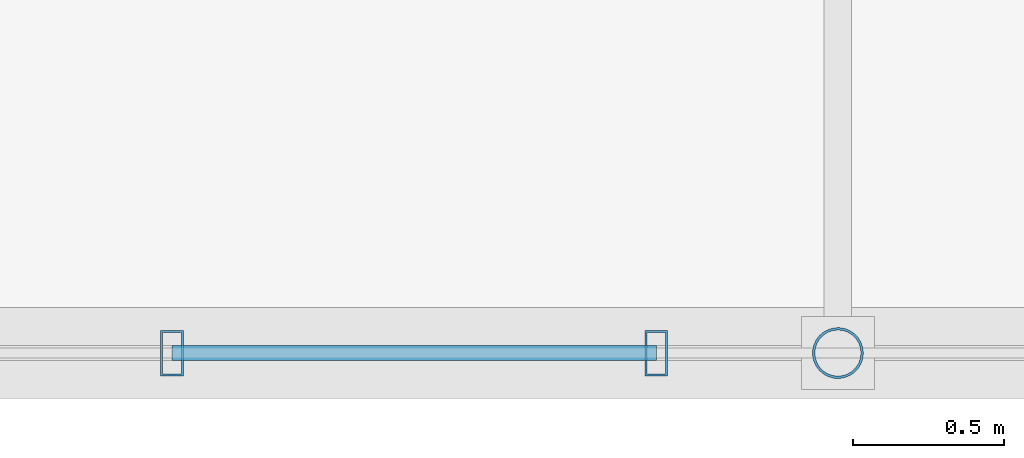
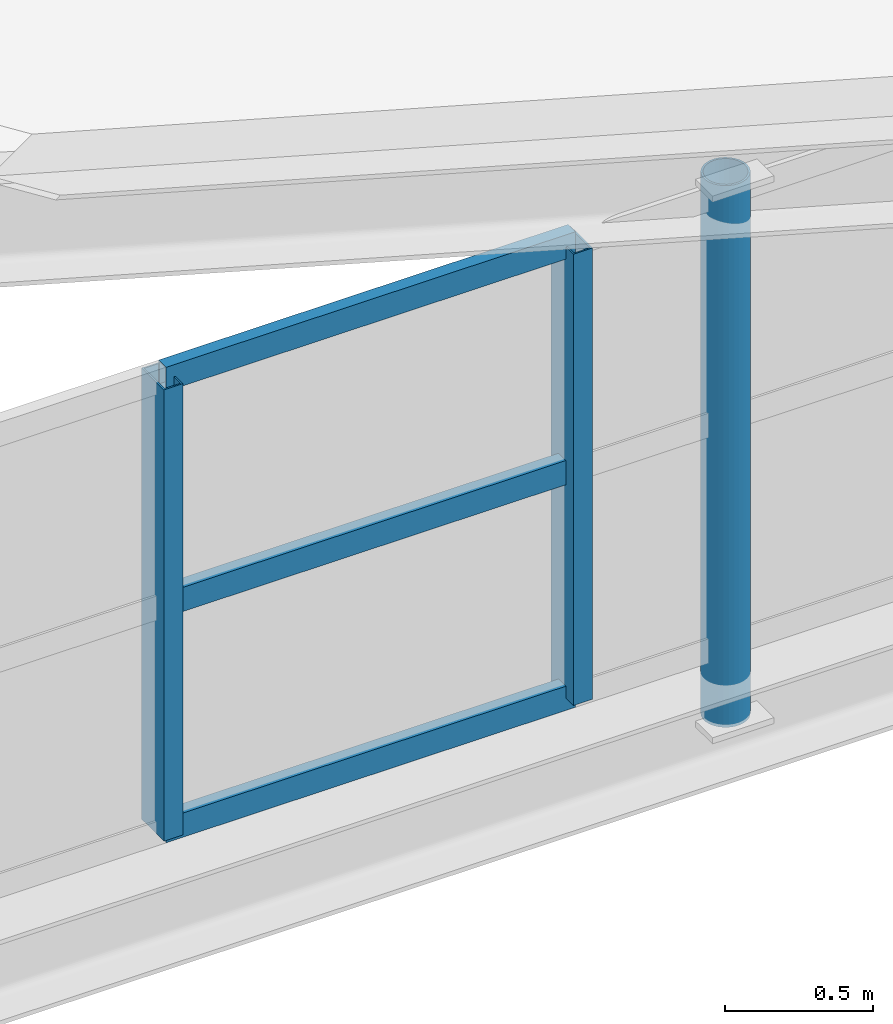
# One storey, part 11 of 49: 6 members, 1 element without a shape of its own.
"""IFC4 building model written with IfcOpenShell, lengths in metres."""

import ifcopenshell
import ifcopenshell.guid

model = None  # the IFC model being written
_history = None  # IfcOwnerHistory: only IFC2X3 demands one
_inside = {}  # id of a spatial element -> (the spatial element, [elements in it])
_under = {}  # id of a project, library or spatial element -> (it, [spatial elements below it])
_declared = {}  # id of a project -> (the project, [libraries it declares])
_typed = {}  # id of a type object -> (the type object, [elements of that type])
_made_of = {}  # id of a material, layer set ... -> (it, [elements and type objects made of it])


def new_model(schema):
    """Start an empty IFC model of exactly this schema.

    Asked for "IFC4X3", IfcOpenShell would pick the latest addendum, in which some entities
    have other attributes; the version numbers below select the first issue.
    IFC2X3 requires an IfcOwnerHistory on every rooted entity: one is made here for all.
    """
    global model, _history
    if schema == "IFC4X3":
        model = ifcopenshell.file(schema_version=(4, 3, 0, 0))
    else:
        model = ifcopenshell.file(schema=schema)
    _inside.clear()
    _under.clear()
    _declared.clear()
    _typed.clear()
    _made_of.clear()
    _history = None
    if model.schema == "IFC2X3":
        org = make("IfcOrganization", Name="unknown")
        user = make(
            "IfcPersonAndOrganization",
            ThePerson=make("IfcPerson", FamilyName="unknown"),
            TheOrganization=org,
        )
        app = make(
            "IfcApplication",
            ApplicationDeveloper=org,
            Version="unknown",
            ApplicationFullName="unknown",
            ApplicationIdentifier="unknown",
        )
        _history = make(
            "IfcOwnerHistory",
            OwningUser=user,
            OwningApplication=app,
            ChangeAction="ADDED",
            CreationDate=0,
        )
    return model


def make(cls, **values):
    """One entity of the class cls with the attributes given. An attribute that is None is left unset."""
    return model.create_entity(
        cls, **{name: value for name, value in values.items() if value is not None}
    )


def rooted(cls, **values):
    """An entity with a GlobalId (a new one), such as an element, a storey or a relation."""
    return make(cls, GlobalId=ifcopenshell.guid.new(), OwnerHistory=_history, **values)


def si_unit(unit_type, name, prefix=None):
    """IfcSIUnit, for example si_unit("LENGTHUNIT", "METRE", prefix="MILLI")."""
    return make("IfcSIUnit", UnitType=unit_type, Prefix=prefix, Name=name)


def assignment(units):
    """IfcUnitAssignment: the units of a project."""
    return None if units is None else make("IfcUnitAssignment", Units=units)


def point(xyz):
    """IfcCartesianPoint."""
    return None if xyz is None else make("IfcCartesianPoint", Coordinates=xyz)


def direction(xyz):
    """IfcDirection."""
    return None if xyz is None else make("IfcDirection", DirectionRatios=xyz)


def frame(location, z_axis=None, x_axis=None):
    """IfcAxis2Placement3D, a coordinate frame: its origin and axes. An axis left out is left unset."""
    return make(
        "IfcAxis2Placement3D",
        Location=point(location),
        Axis=direction(z_axis),
        RefDirection=direction(x_axis),
    )


def frame_2d(location, x_axis=None):
    """IfcAxis2Placement2D, a coordinate frame in the plane: its origin and x axis."""
    return make(
        "IfcAxis2Placement2D", Location=point(location), RefDirection=direction(x_axis)
    )


def origin():
    """The frame at (0, 0, 0) with its axes left unset."""
    return frame((0.0, 0.0, 0.0))


def origin_2d():
    """The frame at (0, 0) in the plane with its x axis left unset."""
    return frame_2d((0.0, 0.0))


def place(relative_to, where):
    """IfcLocalPlacement: puts the frame where relative to a parent placement (None: the world)."""
    return make(
        "IfcLocalPlacement", PlacementRelTo=relative_to, RelativePlacement=where
    )


def context(
    kind, dimensions, precision=None, world=None, true_north=None, identifier=None
):
    """IfcGeometricRepresentationContext, for example the 3D "Model" context."""
    return make(
        "IfcGeometricRepresentationContext",
        ContextIdentifier=identifier,
        ContextType=kind,
        CoordinateSpaceDimension=dimensions,
        Precision=precision,
        WorldCoordinateSystem=world,
        TrueNorth=true_north,
    )


def subcontext(parent, identifier, kind, view, scale=None):
    """IfcGeometricRepresentationSubContext, for example "Body" below "Model"."""
    return make(
        "IfcGeometricRepresentationSubContext",
        ContextIdentifier=identifier,
        ContextType=kind,
        ParentContext=parent,
        TargetScale=scale,
        TargetView=view,
    )


def project(units=None, contexts=None):
    """IfcProject with its units and contexts."""
    return rooted(
        "IfcProject",
        Name="project",
        RepresentationContexts=contexts,
        UnitsInContext=assignment(units),
    )


def spatial(cls, under=None, at=None, **own):
    """A site, building, storey or space (cls), placed at a placement, below another one or the project."""
    s = rooted(cls, ObjectPlacement=at, **own)
    if under is not None:
        _under.setdefault(under.id(), (under, []))[1].append(s)
    return s


def profile(cls, at=None, kind="AREA", **sizes):
    """A parametric profile (cls). Its sizes go by their IFC names, for example OverallWidth=200.0."""
    return make(cls, ProfileType=kind, Position=at, **sizes)


def hollow_rectangle(**sizes):
    """IfcRectangleHollowProfileDef."""
    return profile("IfcRectangleHollowProfileDef", **sizes)


def hollow_circle(**sizes):
    """IfcCircleHollowProfileDef."""
    return profile("IfcCircleHollowProfileDef", **sizes)


def extrude(swept, where, along, depth):
    """IfcExtrudedAreaSolid: the profile swept, set in the frame where, extruded along a direction by depth."""
    return make(
        "IfcExtrudedAreaSolid",
        SweptArea=swept,
        Position=where,
        ExtrudedDirection=direction(along),
        Depth=depth,
    )


def shape(context_of_items, identifier, shape_type, items):
    """IfcShapeRepresentation: the items that make up one representation, for example the "Body"."""
    return make(
        "IfcShapeRepresentation",
        ContextOfItems=context_of_items,
        RepresentationIdentifier=identifier,
        RepresentationType=shape_type,
        Items=items,
    )


def material(Name=None, Category=None):
    """IfcMaterial."""
    return make("IfcMaterial", Name=Name, Category=Category)


def material_profile(
    of_material, cross_section, Name=None, Category=None, Priority=None
):
    """IfcMaterialProfile: a cross section and its material."""
    return make(
        "IfcMaterialProfile",
        Name=Name,
        Material=of_material,
        Profile=cross_section,
        Priority=Priority,
        Category=Category,
    )


def profile_set(profiles, Name=None, composite=None):
    """IfcMaterialProfileSet."""
    return make(
        "IfcMaterialProfileSet",
        Name=Name,
        MaterialProfiles=profiles,
        CompositeProfile=composite,
    )


def made_of(thing, what):
    """Note that an element or type object is made of a material, layer set ...; save() writes the relation."""
    if what is not None:
        _made_of.setdefault(what.id(), (what, []))[1].append(thing)
    return thing


def type_object(cls, material=None, **own):
    """A type object (cls), such as IfcWallType, which elements share."""
    return made_of(rooted(cls, **own), material)


def element(
    cls,
    number,
    at=None,
    inside=None,
    cuts=None,
    type_object=None,
    material=None,
    context=None,
    identifier="Body",
    shape_type=None,
    held_by="IfcProductDefinitionShape",
    body=None,
    shapes=None,
    **own,
):
    """One element of the class cls, such as IfcWall. Its Tag is "e" and its number.

    at: its placement. inside: the storey or other place that contains it. cuts: it is an
    opening in that element (IfcRelVoidsElement). A single representation is given by context,
    identifier, shape_type and body (its items); several are given by shapes. held_by: the class
    of the entity that holds the representations. save() writes the other relations.
    """
    e = rooted(cls, Tag="e%d" % number, ObjectPlacement=at, **own)
    if body is not None:
        shapes = [shape(context, identifier, shape_type, body)]
    if shapes is not None:
        e.Representation = make(held_by, Representations=shapes)
    if inside is not None:
        _inside.setdefault(inside.id(), (inside, []))[1].append(e)
    if cuts is not None:
        rooted(
            "IfcRelVoidsElement", RelatingBuildingElement=cuts, RelatedOpeningElement=e
        )
    if type_object is not None:
        _typed.setdefault(type_object.id(), (type_object, []))[1].append(e)
    return made_of(e, material)


def aggregate(whole, parts):
    """IfcRelAggregates: a whole, such as a stair, and the parts it consists of."""
    return rooted("IfcRelAggregates", RelatingObject=whole, RelatedObjects=parts)


def save(model, path):
    """Write the relations noted so far, then the file.

    IfcRelAggregates (storeys below a building ...), IfcRelContainedInSpatialStructure (elements
    in a storey), IfcRelDefinesByType, IfcRelAssociatesMaterial and IfcRelDeclares: one each for
    every whole, place, type object, material and project.
    """
    for whole, parts in _under.values():
        aggregate(whole, parts)
    for where, things in _inside.values():
        rooted(
            "IfcRelContainedInSpatialStructure",
            RelatedElements=things,
            RelatingStructure=where,
        )
    for kind, things in _typed.values():
        rooted("IfcRelDefinesByType", RelatedObjects=things, RelatingType=kind)
    for what, things in _made_of.values():
        rooted("IfcRelAssociatesMaterial", RelatedObjects=things, RelatingMaterial=what)
    for by, libraries in _declared.values():
        rooted("IfcRelDeclares", RelatingContext=by, RelatedDefinitions=libraries)
    model.write(path)


model = new_model("IFC4")

# Units and contexts
model_context = context("Model", 3, precision=1e-05, world=origin(), true_north=direction((0.0, 1.0)))
body_context = subcontext(model_context, "Body", "Model", "MODEL_VIEW")
ifc_project = project(units=[si_unit("LENGTHUNIT", "METRE"), si_unit("AREAUNIT", "SQUARE_METRE"), si_unit("VOLUMEUNIT", "CUBIC_METRE"), si_unit("PLANEANGLEUNIT", "RADIAN"), si_unit("MASSUNIT", "GRAM", prefix="KILO")], contexts=[model_context])

# Site, building, storey
site_placement = place(None, origin())
site = spatial("IfcSite", under=ifc_project, at=site_placement, CompositionType="ELEMENT")
building_placement = place(site_placement, origin())
building = spatial("IfcBuilding", under=site, at=building_placement, Name="Sundkrona Museum", CompositionType="ELEMENT")
storey_placement = place(building_placement, frame((0.0, 0.0, 26.0)))
storey = spatial("IfcBuildingStorey", under=building, at=storey_placement, Name="L05", CompositionType="ELEMENT", Elevation=26.0)

# Curtain wall, members
ifc_material_1 = material(Name="Unitised Aluminium-Steel and Ceramic-Clad Curtain Walling", Category="steel")
curtain_wall_type = type_object("IfcCurtainWallType", Name="CW-SW-240x13", PredefinedType="NOTDEFINED", material=ifc_material_1)
curtain_wall_placement = place(storey_placement, origin())
curtain_wall = element("IfcCurtainWall", 1, at=curtain_wall_placement, inside=storey, type_object=curtain_wall_type, Name="Atrium S Glazed Gable Tympanum 4", PredefinedType="NOTDEFINED")
ifc_material_2 = material(Name="Aluminium EN AW-6060 T66", Category="aluminium")
ifc_material_profile_1 = material_profile(ifc_material_2, hollow_rectangle(XDim=0.074951171875, YDim=0.14990234375, WallThickness=0.00634765625, at=origin_2d()), Name="RHS 150x75x6.3")
ifc_profile_set_1 = profile_set([ifc_material_profile_1], Name="Aluminium EN AW-6060 T66")
member_type_1 = type_object("IfcMemberType", Name="ML-150", PredefinedType="MULLION", material=ifc_profile_set_1)
member_1_placement = place(storey_placement, frame((109.800048828125, 0.0, -0.10009765625), z_axis=(0.0, 0.0, 1.0), x_axis=(1.0, 0.0, 0.0)))
member_1 = element("IfcMember", 2, at=member_1_placement, type_object=member_type_1, Name="CW-ATR-GBL-S4 Mullion 03", PredefinedType="MULLION", context=body_context, shape_type="SweptSolid", body=[
    extrude(hollow_rectangle(XDim=0.074951171875, YDim=0.14990234375, WallThickness=0.00634765625, at=origin_2d()), origin(), (0.0, 0.0, 1.0), 1.864013671875),
])
member_2_placement = place(storey_placement, frame((111.39990234375, 0.0, -0.10009765625), z_axis=(0.0, 0.0, 1.0), x_axis=(1.0, 0.0, 0.0)))
member_2 = element("IfcMember", 3, at=member_2_placement, type_object=member_type_1, Name="CW-ATR-GBL-S4 Mullion 04", PredefinedType="MULLION", context=body_context, shape_type="SweptSolid", body=[
    extrude(hollow_rectangle(XDim=0.074951171875, YDim=0.14990234375, WallThickness=0.00634765625, at=origin_2d()), origin(), (0.0, 0.0, 1.0), 1.864013671875),
])

# Member
ifc_material_3 = material(Name="Steel S355J2", Category="steel")
ifc_material_profile_2 = material_profile(ifc_material_3, hollow_circle(Radius=0.084228515625, WallThickness=0.008056640625, at=origin_2d()), Name="CHS 168.3x8.0")
ifc_profile_set_2 = profile_set([ifc_material_profile_2], Name="Steel S355J2")
member_type_2 = type_object("IfcMemberType", Name="ST-CHS168", PredefinedType="STRUT", material=ifc_profile_set_2)
member_3_placement = place(storey_placement, frame((112.0, 0.0, -0.39990234375), z_axis=(0.0, 0.0, 1.0), x_axis=(1.0, 0.0, 0.0)))
element("IfcMember", 4, at=member_3_placement, inside=storey, type_object=member_type_2, Name="RFS-1 Atrium Truss 1 Web Strut 112", PredefinedType="STRUT", context=body_context, shape_type="SweptSolid", body=[
    extrude(hollow_circle(Radius=0.084228515625, WallThickness=0.008056640625, at=origin_2d()), origin(), (0.0, 0.0, 1.0), 2.237548828125),
])

ifc_material_profile_3 = material_profile(ifc_material_2, hollow_rectangle(XDim=0.050048828125, YDim=0.10009765625, WallThickness=0.0048828125, at=origin_2d()), Name="RHS 100x50x5.0")
ifc_profile_set_3 = profile_set([ifc_material_profile_3], Name="Aluminium EN AW-6060 T66")
member_type_3 = type_object("IfcMemberType", Name="TR-100", PredefinedType="USERDEFINED", material=ifc_profile_set_3)
member_4_placement = place(storey_placement, frame((109.800048828125, 0.0, -0.10009765625), z_axis=(1.0, 0.0, 0.0), x_axis=(0.0, 1.0, 0.0)))
member_4 = element("IfcMember", 5, at=member_4_placement, type_object=member_type_3, Name="CW-ATR-GBL-S4 Transom 07", ObjectType="TRANSOM", PredefinedType="USERDEFINED", context=body_context, shape_type="SweptSolid", body=[
    extrude(hollow_rectangle(XDim=0.050048828125, YDim=0.10009765625, WallThickness=0.0048828125, at=origin_2d()), origin(), (0.0, 0.0, 1.0), 1.599853515625),
])

member_5_placement = place(storey_placement, frame((109.800048828125, 0.0, 0.83203125), z_axis=(1.0, 0.0, 0.0), x_axis=(0.0, 1.0, 0.0)))
member_5 = element("IfcMember", 6, at=member_5_placement, type_object=member_type_3, Name="CW-ATR-GBL-S4 Transom 08", ObjectType="TRANSOM", PredefinedType="USERDEFINED", context=body_context, shape_type="SweptSolid", body=[
    extrude(hollow_rectangle(XDim=0.050048828125, YDim=0.10009765625, WallThickness=0.0048828125, at=origin_2d()), origin(), (0.0, 0.0, 1.0), 1.599853515625),
])

member_6_placement = place(storey_placement, frame((109.800048828125, 0.0, 1.763916015625), z_axis=(1.0, 0.0, 0.0), x_axis=(0.0, 1.0, 0.0)))
member_6 = element("IfcMember", 7, at=member_6_placement, type_object=member_type_3, Name="CW-ATR-GBL-S4 Transom 09", ObjectType="TRANSOM", PredefinedType="USERDEFINED", context=body_context, shape_type="SweptSolid", body=[
    extrude(hollow_rectangle(XDim=0.050048828125, YDim=0.10009765625, WallThickness=0.0048828125, at=origin_2d()), origin(), (0.0, 0.0, 1.0), 1.599853515625),
])

aggregate(curtain_wall, [member_1, member_2, member_4, member_5, member_6])

save(model, "model.ifc")
